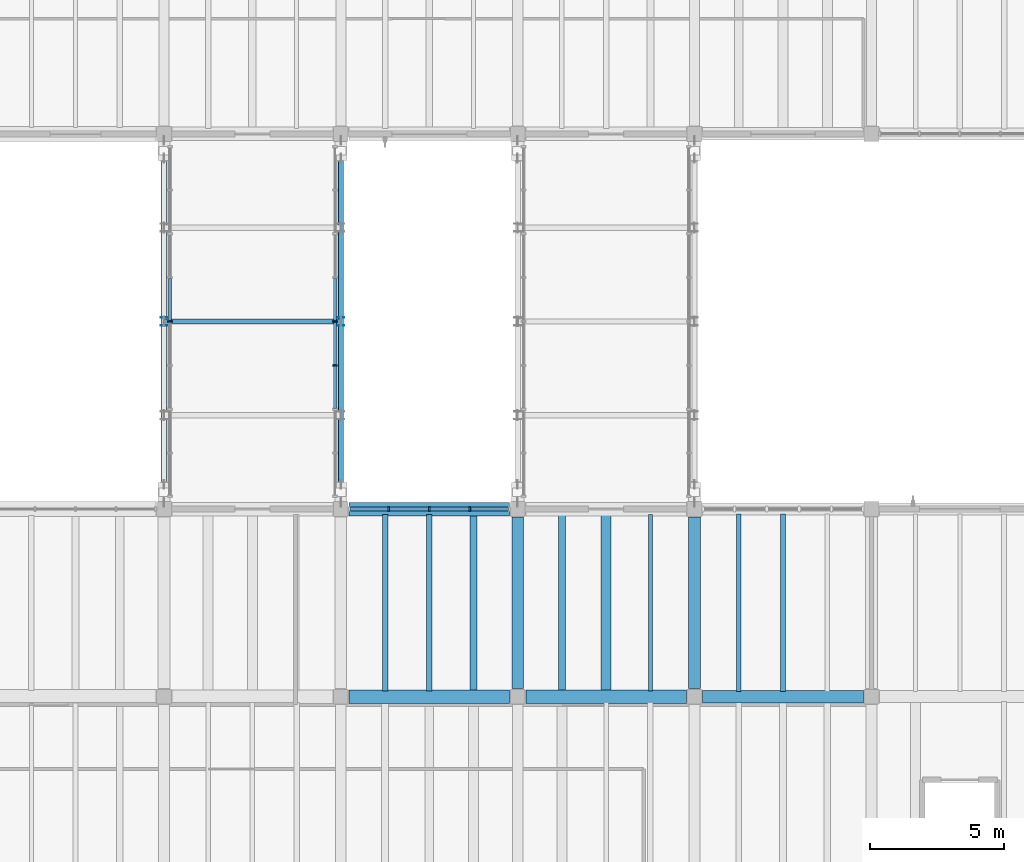
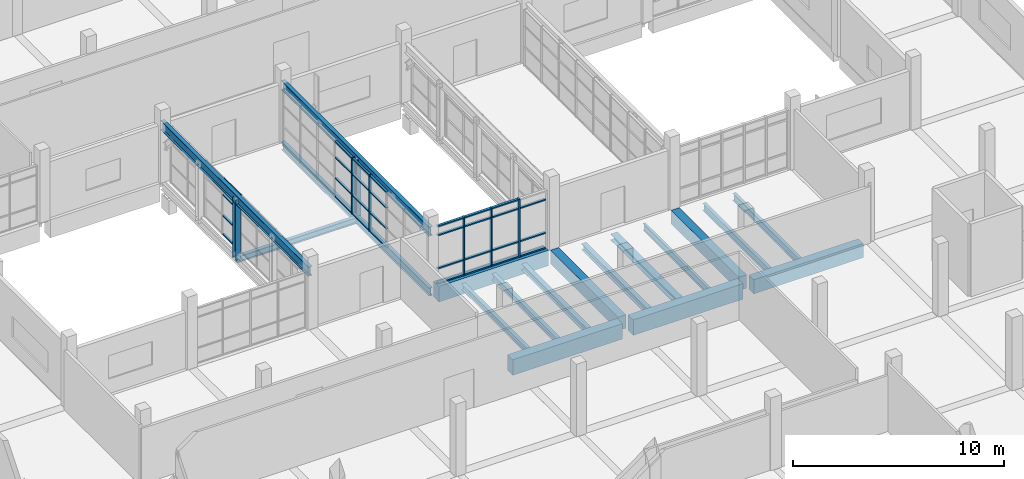
# One storey, part 19 of 67: 42 members, 15 beams, 3 elements without a shape of their own.
"""IFC4 building model written with IfcOpenShell, lengths in metres."""

import ifcopenshell
import ifcopenshell.guid

model = None  # the IFC model being written
_history = None  # IfcOwnerHistory: only IFC2X3 demands one
_inside = {}  # id of a spatial element -> (the spatial element, [elements in it])
_under = {}  # id of a project, library or spatial element -> (it, [spatial elements below it])
_declared = {}  # id of a project -> (the project, [libraries it declares])
_typed = {}  # id of a type object -> (the type object, [elements of that type])
_made_of = {}  # id of a material, layer set ... -> (it, [elements and type objects made of it])


def new_model(schema):
    """Start an empty IFC model of exactly this schema.

    Asked for "IFC4X3", IfcOpenShell would pick the latest addendum, in which some entities
    have other attributes; the version numbers below select the first issue.
    IFC2X3 requires an IfcOwnerHistory on every rooted entity: one is made here for all.
    """
    global model, _history
    if schema == "IFC4X3":
        model = ifcopenshell.file(schema_version=(4, 3, 0, 0))
    else:
        model = ifcopenshell.file(schema=schema)
    _inside.clear()
    _under.clear()
    _declared.clear()
    _typed.clear()
    _made_of.clear()
    _history = None
    if model.schema == "IFC2X3":
        org = make("IfcOrganization", Name="unknown")
        user = make(
            "IfcPersonAndOrganization",
            ThePerson=make("IfcPerson", FamilyName="unknown"),
            TheOrganization=org,
        )
        app = make(
            "IfcApplication",
            ApplicationDeveloper=org,
            Version="unknown",
            ApplicationFullName="unknown",
            ApplicationIdentifier="unknown",
        )
        _history = make(
            "IfcOwnerHistory",
            OwningUser=user,
            OwningApplication=app,
            ChangeAction="ADDED",
            CreationDate=0,
        )
    return model


def make(cls, **values):
    """One entity of the class cls with the attributes given. An attribute that is None is left unset."""
    return model.create_entity(
        cls, **{name: value for name, value in values.items() if value is not None}
    )


def rooted(cls, **values):
    """An entity with a GlobalId (a new one), such as an element, a storey or a relation."""
    return make(cls, GlobalId=ifcopenshell.guid.new(), OwnerHistory=_history, **values)


def si_unit(unit_type, name, prefix=None):
    """IfcSIUnit, for example si_unit("LENGTHUNIT", "METRE", prefix="MILLI")."""
    return make("IfcSIUnit", UnitType=unit_type, Prefix=prefix, Name=name)


def assignment(units):
    """IfcUnitAssignment: the units of a project."""
    return None if units is None else make("IfcUnitAssignment", Units=units)


def point(xyz):
    """IfcCartesianPoint."""
    return None if xyz is None else make("IfcCartesianPoint", Coordinates=xyz)


def direction(xyz):
    """IfcDirection."""
    return None if xyz is None else make("IfcDirection", DirectionRatios=xyz)


def frame(location, z_axis=None, x_axis=None):
    """IfcAxis2Placement3D, a coordinate frame: its origin and axes. An axis left out is left unset."""
    return make(
        "IfcAxis2Placement3D",
        Location=point(location),
        Axis=direction(z_axis),
        RefDirection=direction(x_axis),
    )


def frame_2d(location, x_axis=None):
    """IfcAxis2Placement2D, a coordinate frame in the plane: its origin and x axis."""
    return make(
        "IfcAxis2Placement2D", Location=point(location), RefDirection=direction(x_axis)
    )


def origin():
    """The frame at (0, 0, 0) with its axes left unset."""
    return frame((0.0, 0.0, 0.0))


def origin_2d():
    """The frame at (0, 0) in the plane with its x axis left unset."""
    return frame_2d((0.0, 0.0))


def place(relative_to, where):
    """IfcLocalPlacement: puts the frame where relative to a parent placement (None: the world)."""
    return make(
        "IfcLocalPlacement", PlacementRelTo=relative_to, RelativePlacement=where
    )


def context(
    kind, dimensions, precision=None, world=None, true_north=None, identifier=None
):
    """IfcGeometricRepresentationContext, for example the 3D "Model" context."""
    return make(
        "IfcGeometricRepresentationContext",
        ContextIdentifier=identifier,
        ContextType=kind,
        CoordinateSpaceDimension=dimensions,
        Precision=precision,
        WorldCoordinateSystem=world,
        TrueNorth=true_north,
    )


def subcontext(parent, identifier, kind, view, scale=None):
    """IfcGeometricRepresentationSubContext, for example "Body" below "Model"."""
    return make(
        "IfcGeometricRepresentationSubContext",
        ContextIdentifier=identifier,
        ContextType=kind,
        ParentContext=parent,
        TargetScale=scale,
        TargetView=view,
    )


def project(units=None, contexts=None):
    """IfcProject with its units and contexts."""
    return rooted(
        "IfcProject",
        Name="project",
        RepresentationContexts=contexts,
        UnitsInContext=assignment(units),
    )


def spatial(cls, under=None, at=None, **own):
    """A site, building, storey or space (cls), placed at a placement, below another one or the project."""
    s = rooted(cls, ObjectPlacement=at, **own)
    if under is not None:
        _under.setdefault(under.id(), (under, []))[1].append(s)
    return s


def profile(cls, at=None, kind="AREA", **sizes):
    """A parametric profile (cls). Its sizes go by their IFC names, for example OverallWidth=200.0."""
    return make(cls, ProfileType=kind, Position=at, **sizes)


def rectangle(**sizes):
    """IfcRectangleProfileDef."""
    return profile("IfcRectangleProfileDef", **sizes)


def i_section(**sizes):
    """IfcIShapeProfileDef."""
    return profile("IfcIShapeProfileDef", **sizes)


def extrude(swept, where, along, depth):
    """IfcExtrudedAreaSolid: the profile swept, set in the frame where, extruded along a direction by depth."""
    return make(
        "IfcExtrudedAreaSolid",
        SweptArea=swept,
        Position=where,
        ExtrudedDirection=direction(along),
        Depth=depth,
    )


def shape(context_of_items, identifier, shape_type, items):
    """IfcShapeRepresentation: the items that make up one representation, for example the "Body"."""
    return make(
        "IfcShapeRepresentation",
        ContextOfItems=context_of_items,
        RepresentationIdentifier=identifier,
        RepresentationType=shape_type,
        Items=items,
    )


def material(Name=None, Category=None):
    """IfcMaterial."""
    return make("IfcMaterial", Name=Name, Category=Category)


def material_profile(
    of_material, cross_section, Name=None, Category=None, Priority=None
):
    """IfcMaterialProfile: a cross section and its material."""
    return make(
        "IfcMaterialProfile",
        Name=Name,
        Material=of_material,
        Profile=cross_section,
        Priority=Priority,
        Category=Category,
    )


def profile_set(profiles, Name=None, composite=None):
    """IfcMaterialProfileSet."""
    return make(
        "IfcMaterialProfileSet",
        Name=Name,
        MaterialProfiles=profiles,
        CompositeProfile=composite,
    )


def made_of(thing, what):
    """Note that an element or type object is made of a material, layer set ...; save() writes the relation."""
    if what is not None:
        _made_of.setdefault(what.id(), (what, []))[1].append(thing)
    return thing


def type_object(cls, material=None, **own):
    """A type object (cls), such as IfcWallType, which elements share."""
    return made_of(rooted(cls, **own), material)


def element(
    cls,
    number,
    at=None,
    inside=None,
    cuts=None,
    type_object=None,
    material=None,
    context=None,
    identifier="Body",
    shape_type=None,
    held_by="IfcProductDefinitionShape",
    body=None,
    shapes=None,
    **own,
):
    """One element of the class cls, such as IfcWall. Its Tag is "e" and its number.

    at: its placement. inside: the storey or other place that contains it. cuts: it is an
    opening in that element (IfcRelVoidsElement). A single representation is given by context,
    identifier, shape_type and body (its items); several are given by shapes. held_by: the class
    of the entity that holds the representations. save() writes the other relations.
    """
    e = rooted(cls, Tag="e%d" % number, ObjectPlacement=at, **own)
    if body is not None:
        shapes = [shape(context, identifier, shape_type, body)]
    if shapes is not None:
        e.Representation = make(held_by, Representations=shapes)
    if inside is not None:
        _inside.setdefault(inside.id(), (inside, []))[1].append(e)
    if cuts is not None:
        rooted(
            "IfcRelVoidsElement", RelatingBuildingElement=cuts, RelatedOpeningElement=e
        )
    if type_object is not None:
        _typed.setdefault(type_object.id(), (type_object, []))[1].append(e)
    return made_of(e, material)


def aggregate(whole, parts):
    """IfcRelAggregates: a whole, such as a stair, and the parts it consists of."""
    return rooted("IfcRelAggregates", RelatingObject=whole, RelatedObjects=parts)


def save(model, path):
    """Write the relations noted so far, then the file.

    IfcRelAggregates (storeys below a building ...), IfcRelContainedInSpatialStructure (elements
    in a storey), IfcRelDefinesByType, IfcRelAssociatesMaterial and IfcRelDeclares: one each for
    every whole, place, type object, material and project.
    """
    for whole, parts in _under.values():
        aggregate(whole, parts)
    for where, things in _inside.values():
        rooted(
            "IfcRelContainedInSpatialStructure",
            RelatedElements=things,
            RelatingStructure=where,
        )
    for kind, things in _typed.values():
        rooted("IfcRelDefinesByType", RelatedObjects=things, RelatingType=kind)
    for what, things in _made_of.values():
        rooted("IfcRelAssociatesMaterial", RelatedObjects=things, RelatingMaterial=what)
    for by, libraries in _declared.values():
        rooted("IfcRelDeclares", RelatingContext=by, RelatedDefinitions=libraries)
    model.write(path)


model = new_model("IFC4")

# Units and contexts
model_context = context("Model", 3, precision=1e-05, world=origin(), true_north=direction((0.0, 1.0)))
body_context = subcontext(model_context, "Body", "Model", "MODEL_VIEW")
ifc_project = project(units=[si_unit("LENGTHUNIT", "METRE"), si_unit("AREAUNIT", "SQUARE_METRE"), si_unit("VOLUMEUNIT", "CUBIC_METRE"), si_unit("PLANEANGLEUNIT", "RADIAN"), si_unit("MASSUNIT", "GRAM", prefix="KILO")], contexts=[model_context])

# Site, building, storey
site_placement = place(None, origin())
site = spatial("IfcSite", under=ifc_project, at=site_placement, CompositionType="ELEMENT")
building_placement = place(site_placement, origin())
building = spatial("IfcBuilding", under=site, at=building_placement, Name="Ciguamira Faculty of Natural Sciences", CompositionType="ELEMENT")
storey_placement = place(building_placement, frame((0.0, 0.0, 8.39990234375)))
storey = spatial("IfcBuildingStorey", under=building, at=storey_placement, Name="L02", CompositionType="ELEMENT", Elevation=8.39990234375)

# Curtain wall, member
ifc_material_1 = material(Name="Anodized aluminium curtain wall", Category="aluminium")
curtain_wall_type_1 = type_object("IfcCurtainWallType", Name="CurtainWall_CW-06", PredefinedType="USERDEFINED", material=ifc_material_1)
curtain_wall_1_placement = place(storey_placement, origin())
curtain_wall_1 = element("IfcCurtainWall", 1, at=curtain_wall_1_placement, inside=storey, type_object=curtain_wall_type_1, Name="Link bridge BR-1 glazed curtain wall W", ObjectType="UNITISED CURTAIN WALL", PredefinedType="USERDEFINED")
ifc_material_2 = material(Name="Anodized aluminium mullion", Category="aluminium")
ifc_material_profile_1 = material_profile(ifc_material_2, rectangle(XDim=0.06005859375, YDim=0.159912109375, at=origin_2d()), Name="ALU-MUL-60X160")
ifc_profile_set_1 = profile_set([ifc_material_profile_1], Name="Anodized aluminium mullion")
member_type_1 = type_object("IfcMemberType", Name="CWMullion_CWM-01", PredefinedType="MULLION", material=ifc_profile_set_1)
member_1_placement = place(storey_placement, frame((77.320068359375, 66.0, 0.0), z_axis=(0.0, 0.0, 1.0), x_axis=(0.0, 1.0, 0.0)))
member_1 = element("IfcMember", 2, at=member_1_placement, type_object=member_type_1, Name="CW-06 mullion 5", PredefinedType="MULLION", context=body_context, shape_type="SweptSolid", body=[
    extrude(rectangle(XDim=0.06005859375, YDim=0.159912109375, at=origin_2d()), origin(), (0.0, 0.0, 1.0), 3.25),
])

# Curtain wall, members
curtain_wall_type_2 = type_object("IfcCurtainWallType", Name="CurtainWall_CW-07", PredefinedType="USERDEFINED", material=ifc_material_1)
curtain_wall_2_placement = place(storey_placement, origin())
curtain_wall_2 = element("IfcCurtainWall", 3, at=curtain_wall_2_placement, inside=storey, type_object=curtain_wall_type_2, Name="Link bridge BR-1 glazed curtain wall E", ObjectType="UNITISED CURTAIN WALL", PredefinedType="USERDEFINED")
member_2_placement = place(storey_placement, frame((83.47998046875, 64.362548828125, 0.0), z_axis=(0.0, 0.0, 1.0), x_axis=(0.0, 1.0, 0.0)))
member_2 = element("IfcMember", 4, at=member_2_placement, type_object=member_type_1, Name="CW-07 mullion 4", PredefinedType="MULLION", context=body_context, shape_type="SweptSolid", body=[
    extrude(rectangle(XDim=0.06005859375, YDim=0.159912109375, at=origin_2d()), origin(), (0.0, 0.0, 1.0), 3.25),
])
member_3_placement = place(storey_placement, frame((83.47998046875, 66.0, 0.0), z_axis=(0.0, 0.0, 1.0), x_axis=(0.0, 1.0, 0.0)))
member_3 = element("IfcMember", 5, at=member_3_placement, type_object=member_type_1, Name="CW-07 mullion 5", PredefinedType="MULLION", context=body_context, shape_type="SweptSolid", body=[
    extrude(rectangle(XDim=0.06005859375, YDim=0.159912109375, at=origin_2d()), origin(), (0.0, 0.0, 1.0), 3.25),
])

curtain_wall_type_3 = type_object("IfcCurtainWallType", Name="CurtainWall_CW-05", PredefinedType="USERDEFINED", material=ifc_material_1)
curtain_wall_3_placement = place(storey_placement, origin())
curtain_wall_3 = element("IfcCurtainWall", 6, at=curtain_wall_3_placement, inside=storey, type_object=curtain_wall_type_3, Name="L02 unitised curtain wall 0065", ObjectType="UNITISED CURTAIN WALL", PredefinedType="USERDEFINED")
ifc_material_profile_2 = material_profile(ifc_material_2, rectangle(XDim=0.070068359375, YDim=0.179931640625, at=origin_2d()), Name="ALU-MUL-70X180")
ifc_profile_set_2 = profile_set([ifc_material_profile_2], Name="Anodized aluminium mullion")
member_type_2 = type_object("IfcMemberType", Name="CWMullion_CWM-02", PredefinedType="MULLION", material=ifc_profile_set_2)
member_4_placement = place(storey_placement, frame((85.487548828125, 59.0, 0.0), z_axis=(0.0, 0.0, 1.0), x_axis=(1.0, 0.0, 0.0)))
member_4 = element("IfcMember", 7, at=member_4_placement, type_object=member_type_2, Name="CW-05 mullion 2", PredefinedType="MULLION", context=body_context, shape_type="SweptSolid", body=[
    extrude(rectangle(XDim=0.070068359375, YDim=0.179931640625, at=origin_2d()), origin(), (0.0, 0.0, 1.0), 3.364990234375),
])
member_5_placement = place(storey_placement, frame((87.0, 59.0, 0.0), z_axis=(0.0, 0.0, 1.0), x_axis=(1.0, 0.0, 0.0)))
member_5 = element("IfcMember", 8, at=member_5_placement, type_object=member_type_2, Name="CW-05 mullion 3", PredefinedType="MULLION", context=body_context, shape_type="SweptSolid", body=[
    extrude(rectangle(XDim=0.070068359375, YDim=0.179931640625, at=origin_2d()), origin(), (0.0, 0.0, 1.0), 3.364990234375),
])
member_6_placement = place(storey_placement, frame((88.512451171875, 59.0, 0.0), z_axis=(0.0, 0.0, 1.0), x_axis=(1.0, 0.0, 0.0)))
member_6 = element("IfcMember", 9, at=member_6_placement, type_object=member_type_2, Name="CW-05 mullion 4", PredefinedType="MULLION", context=body_context, shape_type="SweptSolid", body=[
    extrude(rectangle(XDim=0.070068359375, YDim=0.179931640625, at=origin_2d()), origin(), (0.0, 0.0, 1.0), 3.364990234375),
])

# Member
ifc_material_3 = material(Name="Anodized aluminium transom", Category="aluminium")
ifc_material_profile_3 = material_profile(ifc_material_3, rectangle(XDim=0.06005859375, YDim=0.1201171875, at=origin_2d()), Name="ALU-TRN-60X120")
ifc_profile_set_3 = profile_set([ifc_material_profile_3], Name="Anodized aluminium transom")
member_type_3 = type_object("IfcMemberType", Name="CWTransom_CWT-01", PredefinedType="USERDEFINED", material=ifc_profile_set_3)
member_7_placement = place(storey_placement, frame((77.320068359375, 66.030029296875, 0.030029296875), z_axis=(0.0, 1.0, 0.0), x_axis=(0.0, 0.0, 1.0)))
member_7 = element("IfcMember", 10, at=member_7_placement, type_object=member_type_3, Name="CW-06 transom 5.1", ObjectType="TRANSOM", PredefinedType="USERDEFINED", context=body_context, shape_type="SweptSolid", body=[
    extrude(rectangle(XDim=0.06005859375, YDim=0.1201171875, at=origin_2d()), origin(), (0.0, 0.0, 1.0), 1.577392578125),
])

member_8_placement = place(storey_placement, frame((77.320068359375, 66.030029296875, 1.10009765625), z_axis=(0.0, 1.0, 0.0), x_axis=(0.0, 0.0, 1.0)))
member_8 = element("IfcMember", 11, at=member_8_placement, type_object=member_type_3, Name="CW-06 transom 5.2", ObjectType="TRANSOM", PredefinedType="USERDEFINED", context=body_context, shape_type="SweptSolid", body=[
    extrude(rectangle(XDim=0.06005859375, YDim=0.1201171875, at=origin_2d()), origin(), (0.0, 0.0, 1.0), 1.577392578125),
])

member_9_placement = place(storey_placement, frame((77.320068359375, 66.030029296875, 2.300048828125), z_axis=(0.0, 1.0, 0.0), x_axis=(0.0, 0.0, 1.0)))
member_9 = element("IfcMember", 12, at=member_9_placement, type_object=member_type_3, Name="CW-06 transom 5.3", ObjectType="TRANSOM", PredefinedType="USERDEFINED", context=body_context, shape_type="SweptSolid", body=[
    extrude(rectangle(XDim=0.06005859375, YDim=0.1201171875, at=origin_2d()), origin(), (0.0, 0.0, 1.0), 1.577392578125),
])

member_10_placement = place(storey_placement, frame((77.320068359375, 66.030029296875, 3.22021484375), z_axis=(0.0, 1.0, 0.0), x_axis=(0.0, 0.0, 1.0)))
member_10 = element("IfcMember", 13, at=member_10_placement, type_object=member_type_3, Name="CW-06 transom 5.4", ObjectType="TRANSOM", PredefinedType="USERDEFINED", context=body_context, shape_type="SweptSolid", body=[
    extrude(rectangle(XDim=0.06005859375, YDim=0.1201171875, at=origin_2d()), origin(), (0.0, 0.0, 1.0), 1.577392578125),
])

aggregate(curtain_wall_1, [member_1, member_7, member_8, member_9, member_10])

member_11_placement = place(storey_placement, frame((83.47998046875, 62.7548828125, 0.030029296875), z_axis=(0.0, 1.0, 0.0), x_axis=(0.0, 0.0, 1.0)))
member_11 = element("IfcMember", 14, at=member_11_placement, type_object=member_type_3, Name="CW-07 transom 3.1", ObjectType="TRANSOM", PredefinedType="USERDEFINED", context=body_context, shape_type="SweptSolid", body=[
    extrude(rectangle(XDim=0.06005859375, YDim=0.1201171875, at=origin_2d()), origin(), (0.0, 0.0, 1.0), 1.57763671875),
])

member_12_placement = place(storey_placement, frame((83.47998046875, 62.7548828125, 1.10009765625), z_axis=(0.0, 1.0, 0.0), x_axis=(0.0, 0.0, 1.0)))
member_12 = element("IfcMember", 15, at=member_12_placement, type_object=member_type_3, Name="CW-07 transom 3.2", ObjectType="TRANSOM", PredefinedType="USERDEFINED", context=body_context, shape_type="SweptSolid", body=[
    extrude(rectangle(XDim=0.06005859375, YDim=0.1201171875, at=origin_2d()), origin(), (0.0, 0.0, 1.0), 1.57763671875),
])

member_13_placement = place(storey_placement, frame((83.47998046875, 62.7548828125, 2.300048828125), z_axis=(0.0, 1.0, 0.0), x_axis=(0.0, 0.0, 1.0)))
member_13 = element("IfcMember", 16, at=member_13_placement, type_object=member_type_3, Name="CW-07 transom 3.3", ObjectType="TRANSOM", PredefinedType="USERDEFINED", context=body_context, shape_type="SweptSolid", body=[
    extrude(rectangle(XDim=0.06005859375, YDim=0.1201171875, at=origin_2d()), origin(), (0.0, 0.0, 1.0), 1.57763671875),
])

member_14_placement = place(storey_placement, frame((83.47998046875, 62.7548828125, 3.22021484375), z_axis=(0.0, 1.0, 0.0), x_axis=(0.0, 0.0, 1.0)))
member_14 = element("IfcMember", 17, at=member_14_placement, type_object=member_type_3, Name="CW-07 transom 3.4", ObjectType="TRANSOM", PredefinedType="USERDEFINED", context=body_context, shape_type="SweptSolid", body=[
    extrude(rectangle(XDim=0.06005859375, YDim=0.1201171875, at=origin_2d()), origin(), (0.0, 0.0, 1.0), 1.57763671875),
])

member_15_placement = place(storey_placement, frame((83.47998046875, 64.392578125, 0.030029296875), z_axis=(0.0, 1.0, 0.0), x_axis=(0.0, 0.0, 1.0)))
member_15 = element("IfcMember", 18, at=member_15_placement, type_object=member_type_3, Name="CW-07 transom 4.1", ObjectType="TRANSOM", PredefinedType="USERDEFINED", context=body_context, shape_type="SweptSolid", body=[
    extrude(rectangle(XDim=0.06005859375, YDim=0.1201171875, at=origin_2d()), origin(), (0.0, 0.0, 1.0), 1.577392578125),
])

member_16_placement = place(storey_placement, frame((83.47998046875, 64.392578125, 1.10009765625), z_axis=(0.0, 1.0, 0.0), x_axis=(0.0, 0.0, 1.0)))
member_16 = element("IfcMember", 19, at=member_16_placement, type_object=member_type_3, Name="CW-07 transom 4.2", ObjectType="TRANSOM", PredefinedType="USERDEFINED", context=body_context, shape_type="SweptSolid", body=[
    extrude(rectangle(XDim=0.06005859375, YDim=0.1201171875, at=origin_2d()), origin(), (0.0, 0.0, 1.0), 1.577392578125),
])

member_17_placement = place(storey_placement, frame((83.47998046875, 64.392578125, 2.300048828125), z_axis=(0.0, 1.0, 0.0), x_axis=(0.0, 0.0, 1.0)))
member_17 = element("IfcMember", 20, at=member_17_placement, type_object=member_type_3, Name="CW-07 transom 4.3", ObjectType="TRANSOM", PredefinedType="USERDEFINED", context=body_context, shape_type="SweptSolid", body=[
    extrude(rectangle(XDim=0.06005859375, YDim=0.1201171875, at=origin_2d()), origin(), (0.0, 0.0, 1.0), 1.577392578125),
])

member_18_placement = place(storey_placement, frame((83.47998046875, 64.392578125, 3.22021484375), z_axis=(0.0, 1.0, 0.0), x_axis=(0.0, 0.0, 1.0)))
member_18 = element("IfcMember", 21, at=member_18_placement, type_object=member_type_3, Name="CW-07 transom 4.4", ObjectType="TRANSOM", PredefinedType="USERDEFINED", context=body_context, shape_type="SweptSolid", body=[
    extrude(rectangle(XDim=0.06005859375, YDim=0.1201171875, at=origin_2d()), origin(), (0.0, 0.0, 1.0), 1.577392578125),
])

member_19_placement = place(storey_placement, frame((83.47998046875, 66.030029296875, 0.030029296875), z_axis=(0.0, 1.0, 0.0), x_axis=(0.0, 0.0, 1.0)))
member_19 = element("IfcMember", 22, at=member_19_placement, type_object=member_type_3, Name="CW-07 transom 5.1", ObjectType="TRANSOM", PredefinedType="USERDEFINED", context=body_context, shape_type="SweptSolid", body=[
    extrude(rectangle(XDim=0.06005859375, YDim=0.1201171875, at=origin_2d()), origin(), (0.0, 0.0, 1.0), 1.577392578125),
])

member_20_placement = place(storey_placement, frame((83.47998046875, 66.030029296875, 1.10009765625), z_axis=(0.0, 1.0, 0.0), x_axis=(0.0, 0.0, 1.0)))
member_20 = element("IfcMember", 23, at=member_20_placement, type_object=member_type_3, Name="CW-07 transom 5.2", ObjectType="TRANSOM", PredefinedType="USERDEFINED", context=body_context, shape_type="SweptSolid", body=[
    extrude(rectangle(XDim=0.06005859375, YDim=0.1201171875, at=origin_2d()), origin(), (0.0, 0.0, 1.0), 1.577392578125),
])

member_21_placement = place(storey_placement, frame((83.47998046875, 66.030029296875, 2.300048828125), z_axis=(0.0, 1.0, 0.0), x_axis=(0.0, 0.0, 1.0)))
member_21 = element("IfcMember", 24, at=member_21_placement, type_object=member_type_3, Name="CW-07 transom 5.3", ObjectType="TRANSOM", PredefinedType="USERDEFINED", context=body_context, shape_type="SweptSolid", body=[
    extrude(rectangle(XDim=0.06005859375, YDim=0.1201171875, at=origin_2d()), origin(), (0.0, 0.0, 1.0), 1.577392578125),
])

member_22_placement = place(storey_placement, frame((83.47998046875, 66.030029296875, 3.22021484375), z_axis=(0.0, 1.0, 0.0), x_axis=(0.0, 0.0, 1.0)))
member_22 = element("IfcMember", 25, at=member_22_placement, type_object=member_type_3, Name="CW-07 transom 5.4", ObjectType="TRANSOM", PredefinedType="USERDEFINED", context=body_context, shape_type="SweptSolid", body=[
    extrude(rectangle(XDim=0.06005859375, YDim=0.1201171875, at=origin_2d()), origin(), (0.0, 0.0, 1.0), 1.577392578125),
])

aggregate(curtain_wall_2, [member_2, member_3, member_11, member_12, member_13, member_14, member_15, member_16, member_17, member_18, member_19, member_20, member_21, member_22])

ifc_material_profile_4 = material_profile(ifc_material_3, rectangle(XDim=0.070068359375, YDim=0.139892578125, at=origin_2d()), Name="ALU-TRN-70X140")
ifc_profile_set_4 = profile_set([ifc_material_profile_4], Name="Anodized aluminium transom")
member_type_4 = type_object("IfcMemberType", Name="CWTransom_CWT-02", PredefinedType="USERDEFINED", material=ifc_profile_set_4)
member_23_placement = place(storey_placement, frame((84.044921875, 59.0, 0.03515625), z_axis=(1.0, 0.0, 0.0), x_axis=(0.0, 0.0, 1.0)))
member_23 = element("IfcMember", 26, at=member_23_placement, type_object=member_type_4, Name="CW-05 transom 1.1", ObjectType="TRANSOM", PredefinedType="USERDEFINED", context=body_context, shape_type="SweptSolid", body=[
    extrude(rectangle(XDim=0.070068359375, YDim=0.139892578125, at=origin_2d()), origin(), (0.0, 0.0, 1.0), 1.407470703125),
])

member_24_placement = place(storey_placement, frame((84.044921875, 59.0, 0.900146484375), z_axis=(1.0, 0.0, 0.0), x_axis=(0.0, 0.0, 1.0)))
member_24 = element("IfcMember", 27, at=member_24_placement, type_object=member_type_4, Name="CW-05 transom 1.2", ObjectType="TRANSOM", PredefinedType="USERDEFINED", context=body_context, shape_type="SweptSolid", body=[
    extrude(rectangle(XDim=0.070068359375, YDim=0.139892578125, at=origin_2d()), origin(), (0.0, 0.0, 1.0), 1.407470703125),
])

member_25_placement = place(storey_placement, frame((84.044921875, 59.0, 2.815185546875), z_axis=(1.0, 0.0, 0.0), x_axis=(0.0, 0.0, 1.0)))
member_25 = element("IfcMember", 28, at=member_25_placement, type_object=member_type_4, Name="CW-05 transom 1.3", ObjectType="TRANSOM", PredefinedType="USERDEFINED", context=body_context, shape_type="SweptSolid", body=[
    extrude(rectangle(XDim=0.070068359375, YDim=0.139892578125, at=origin_2d()), origin(), (0.0, 0.0, 1.0), 1.407470703125),
])

member_26_placement = place(storey_placement, frame((84.044921875, 59.0, 3.330078125), z_axis=(1.0, 0.0, 0.0), x_axis=(0.0, 0.0, 1.0)))
member_26 = element("IfcMember", 29, at=member_26_placement, type_object=member_type_4, Name="CW-05 transom 1.4", ObjectType="TRANSOM", PredefinedType="USERDEFINED", context=body_context, shape_type="SweptSolid", body=[
    extrude(rectangle(XDim=0.070068359375, YDim=0.139892578125, at=origin_2d()), origin(), (0.0, 0.0, 1.0), 1.407470703125),
])

member_27_placement = place(storey_placement, frame((85.5224609375, 59.0, 0.03515625), z_axis=(1.0, 0.0, 0.0), x_axis=(0.0, 0.0, 1.0)))
member_27 = element("IfcMember", 30, at=member_27_placement, type_object=member_type_4, Name="CW-05 transom 2.1", ObjectType="TRANSOM", PredefinedType="USERDEFINED", context=body_context, shape_type="SweptSolid", body=[
    extrude(rectangle(XDim=0.070068359375, YDim=0.139892578125, at=origin_2d()), origin(), (0.0, 0.0, 1.0), 1.442626953125),
])

member_28_placement = place(storey_placement, frame((85.5224609375, 59.0, 0.900146484375), z_axis=(1.0, 0.0, 0.0), x_axis=(0.0, 0.0, 1.0)))
member_28 = element("IfcMember", 31, at=member_28_placement, type_object=member_type_4, Name="CW-05 transom 2.2", ObjectType="TRANSOM", PredefinedType="USERDEFINED", context=body_context, shape_type="SweptSolid", body=[
    extrude(rectangle(XDim=0.070068359375, YDim=0.139892578125, at=origin_2d()), origin(), (0.0, 0.0, 1.0), 1.442626953125),
])

member_29_placement = place(storey_placement, frame((85.5224609375, 59.0, 2.815185546875), z_axis=(1.0, 0.0, 0.0), x_axis=(0.0, 0.0, 1.0)))
member_29 = element("IfcMember", 32, at=member_29_placement, type_object=member_type_4, Name="CW-05 transom 2.3", ObjectType="TRANSOM", PredefinedType="USERDEFINED", context=body_context, shape_type="SweptSolid", body=[
    extrude(rectangle(XDim=0.070068359375, YDim=0.139892578125, at=origin_2d()), origin(), (0.0, 0.0, 1.0), 1.442626953125),
])

member_30_placement = place(storey_placement, frame((85.5224609375, 59.0, 3.330078125), z_axis=(1.0, 0.0, 0.0), x_axis=(0.0, 0.0, 1.0)))
member_30 = element("IfcMember", 33, at=member_30_placement, type_object=member_type_4, Name="CW-05 transom 2.4", ObjectType="TRANSOM", PredefinedType="USERDEFINED", context=body_context, shape_type="SweptSolid", body=[
    extrude(rectangle(XDim=0.070068359375, YDim=0.139892578125, at=origin_2d()), origin(), (0.0, 0.0, 1.0), 1.442626953125),
])

member_31_placement = place(storey_placement, frame((87.034912109375, 59.0, 0.03515625), z_axis=(1.0, 0.0, 0.0), x_axis=(0.0, 0.0, 1.0)))
member_31 = element("IfcMember", 34, at=member_31_placement, type_object=member_type_4, Name="CW-05 transom 3.1", ObjectType="TRANSOM", PredefinedType="USERDEFINED", context=body_context, shape_type="SweptSolid", body=[
    extrude(rectangle(XDim=0.070068359375, YDim=0.139892578125, at=origin_2d()), origin(), (0.0, 0.0, 1.0), 1.442626953125),
])

member_32_placement = place(storey_placement, frame((87.034912109375, 59.0, 0.900146484375), z_axis=(1.0, 0.0, 0.0), x_axis=(0.0, 0.0, 1.0)))
member_32 = element("IfcMember", 35, at=member_32_placement, type_object=member_type_4, Name="CW-05 transom 3.2", ObjectType="TRANSOM", PredefinedType="USERDEFINED", context=body_context, shape_type="SweptSolid", body=[
    extrude(rectangle(XDim=0.070068359375, YDim=0.139892578125, at=origin_2d()), origin(), (0.0, 0.0, 1.0), 1.442626953125),
])

member_33_placement = place(storey_placement, frame((87.034912109375, 59.0, 2.815185546875), z_axis=(1.0, 0.0, 0.0), x_axis=(0.0, 0.0, 1.0)))
member_33 = element("IfcMember", 36, at=member_33_placement, type_object=member_type_4, Name="CW-05 transom 3.3", ObjectType="TRANSOM", PredefinedType="USERDEFINED", context=body_context, shape_type="SweptSolid", body=[
    extrude(rectangle(XDim=0.070068359375, YDim=0.139892578125, at=origin_2d()), origin(), (0.0, 0.0, 1.0), 1.442626953125),
])

member_34_placement = place(storey_placement, frame((87.034912109375, 59.0, 3.330078125), z_axis=(1.0, 0.0, 0.0), x_axis=(0.0, 0.0, 1.0)))
member_34 = element("IfcMember", 37, at=member_34_placement, type_object=member_type_4, Name="CW-05 transom 3.4", ObjectType="TRANSOM", PredefinedType="USERDEFINED", context=body_context, shape_type="SweptSolid", body=[
    extrude(rectangle(XDim=0.070068359375, YDim=0.139892578125, at=origin_2d()), origin(), (0.0, 0.0, 1.0), 1.442626953125),
])

member_35_placement = place(storey_placement, frame((88.547607421875, 59.0, 0.03515625), z_axis=(1.0, 0.0, 0.0), x_axis=(0.0, 0.0, 1.0)))
member_35 = element("IfcMember", 38, at=member_35_placement, type_object=member_type_4, Name="CW-05 transom 4.1", ObjectType="TRANSOM", PredefinedType="USERDEFINED", context=body_context, shape_type="SweptSolid", body=[
    extrude(rectangle(XDim=0.070068359375, YDim=0.139892578125, at=origin_2d()), origin(), (0.0, 0.0, 1.0), 1.407470703125),
])

member_36_placement = place(storey_placement, frame((88.547607421875, 59.0, 0.900146484375), z_axis=(1.0, 0.0, 0.0), x_axis=(0.0, 0.0, 1.0)))
member_36 = element("IfcMember", 39, at=member_36_placement, type_object=member_type_4, Name="CW-05 transom 4.2", ObjectType="TRANSOM", PredefinedType="USERDEFINED", context=body_context, shape_type="SweptSolid", body=[
    extrude(rectangle(XDim=0.070068359375, YDim=0.139892578125, at=origin_2d()), origin(), (0.0, 0.0, 1.0), 1.407470703125),
])

member_37_placement = place(storey_placement, frame((88.547607421875, 59.0, 2.815185546875), z_axis=(1.0, 0.0, 0.0), x_axis=(0.0, 0.0, 1.0)))
member_37 = element("IfcMember", 40, at=member_37_placement, type_object=member_type_4, Name="CW-05 transom 4.3", ObjectType="TRANSOM", PredefinedType="USERDEFINED", context=body_context, shape_type="SweptSolid", body=[
    extrude(rectangle(XDim=0.070068359375, YDim=0.139892578125, at=origin_2d()), origin(), (0.0, 0.0, 1.0), 1.407470703125),
])

aggregate(curtain_wall_3, [member_4, member_5, member_6, member_23, member_24, member_25, member_26, member_27, member_28, member_29, member_30, member_31, member_32, member_33, member_34, member_35, member_36, member_37])

# Beams
ifc_material_4 = material(Name="Concrete C40/50", Category="concrete")
ifc_material_profile_5 = material_profile(ifc_material_4, rectangle(XDim=0.5, YDim=0.89990234375, at=origin_2d()), Name="RC-BM-500X900")
ifc_profile_set_5 = profile_set([ifc_material_profile_5], Name="Concrete C40/50")
beam_type_1 = type_object("IfcBeamType", Name="RCBeam_BG-03_RC-BM-500X900", PredefinedType="BEAM", material=ifc_profile_set_5)
for number, where, z_axis, x_axis, name in (
    (41, (84.0, 52.0, -0.449951171875), (1.0, 0.0, 0.0), (0.0, 1.0, 0.0), "L02 RC girder EW-0796"),
    (42, (90.60009765625, 52.0, -0.449951171875), (1.0, 0.0, 0.0), (0.0, 1.0, 0.0), "L02 RC girder EW-0797"),
    (43, (84.0, 59.0, -0.449951171875), (1.0, 0.0, 0.0), (0.0, 1.0, 0.0), "L02 RC girder EW-0805"),
):
    element("IfcBeam", number, at=place(storey_placement, frame(where, z_axis=z_axis, x_axis=x_axis)), inside=storey, type_object=beam_type_1, Name=name, PredefinedType="BEAM", context=body_context, shape_type="SweptSolid", body=[
        extrude(rectangle(XDim=0.5, YDim=0.89990234375, at=origin_2d()), origin(), (0.0, 0.0, 1.0), 6.0),
    ])
ifc_material_profile_6 = material_profile(ifc_material_4, rectangle(XDim=0.4599609375, YDim=0.820068359375, at=origin_2d()), Name="RC-BM-460X820")
ifc_profile_set_6 = profile_set([ifc_material_profile_6], Name="Concrete C40/50")
beam_type_2 = type_object("IfcBeamType", Name="RCBeam_BG-04_RC-BM-460X820", PredefinedType="BEAM", material=ifc_profile_set_6)
beam_1_placement = place(storey_placement, frame((97.199951171875, 52.0, -0.409912109375), z_axis=(1.0, 0.0, 0.0), x_axis=(0.0, 1.0, 0.0)))
element("IfcBeam", 44, at=beam_1_placement, inside=storey, type_object=beam_type_2, Name="L02 RC girder EW-0798", PredefinedType="BEAM", context=body_context, shape_type="SweptSolid", body=[
    extrude(rectangle(XDim=0.4599609375, YDim=0.820068359375, at=origin_2d()), origin(), (0.0, 0.0, 1.0), 6.0),
])
ifc_material_profile_7 = material_profile(ifc_material_4, rectangle(XDim=0.43994140625, YDim=0.780029296875, at=origin_2d()), Name="RC-BM-440X780")
ifc_profile_set_7 = profile_set([ifc_material_profile_7], Name="Concrete C40/50")
beam_type_3 = type_object("IfcBeamType", Name="RCBeam_BG-06_RC-BM-440X780", PredefinedType="BEAM", material=ifc_profile_set_7)
for number, where, z_axis, x_axis, name in (
    (45, (90.300048828125, 52.300048828125, -0.389892578125), (0.0, 1.0, 0.0), (-1.0, 0.0, 0.0), "L02 girder NS-0958"),
    (46, (96.89990234375, 52.300048828125, -0.389892578125), (0.0, 1.0, 0.0), (-1.0, 0.0, 0.0), "L02 girder NS-0969"),
):
    element("IfcBeam", number, at=place(storey_placement, frame(where, z_axis=z_axis, x_axis=x_axis)), inside=storey, type_object=beam_type_3, Name=name, PredefinedType="BEAM", context=body_context, shape_type="SweptSolid", body=[
        extrude(rectangle(XDim=0.43994140625, YDim=0.780029296875, at=origin_2d()), origin(), (0.0, 0.0, 1.0), 6.39990234375),
    ])
ifc_material_5 = material(Name="Steel ASTM A992 Grade 50", Category="steel")
ifc_material_profile_8 = material_profile(ifc_material_5, i_section(OverallWidth=0.203125, OverallDepth=0.347900390625, WebThickness=0.0078125, FlangeThickness=0.013427734375, at=origin_2d()), Name="W14X43")
ifc_profile_set_8 = profile_set([ifc_material_profile_8], Name="Steel ASTM A992 Grade 50")
beam_type_4 = type_object("IfcBeamType", Name="SteelJoist_SJ-12_W14X43", PredefinedType="JOIST", material=ifc_profile_set_8)
beam_2_placement = place(storey_placement, frame((85.35009765625, 52.2099609375, -0.453857421875), z_axis=(0.0, 1.0, 0.0), x_axis=(-1.0, 0.0, 0.0)))
element("IfcBeam", 47, at=beam_2_placement, inside=storey, type_object=beam_type_4, Name="L02 composite steel joist 00825", PredefinedType="JOIST", context=body_context, shape_type="SweptSolid", body=[
    extrude(i_section(OverallWidth=0.203125, OverallDepth=0.347900390625, WebThickness=0.0078125, FlangeThickness=0.013427734375, at=origin_2d()), origin(), (0.0, 0.0, 1.0), 6.580078125),
])
beam_3_placement = place(storey_placement, frame((77.10009765625, 66.0, -0.393798828125), z_axis=(1.0, 0.0, 0.0), x_axis=(0.0, 1.0, 0.0)))
element("IfcBeam", 48, at=beam_3_placement, inside=storey, type_object=beam_type_4, Name="Link bridge BR-1 floor crossbeam 2", PredefinedType="JOIST", context=body_context, shape_type="SweptSolid", body=[
    extrude(i_section(OverallWidth=0.203125, OverallDepth=0.347900390625, WebThickness=0.0078125, FlangeThickness=0.013427734375, at=origin_2d()), origin(), (0.0, 0.0, 1.0), 6.599853515625),
])
ifc_material_profile_9 = material_profile(ifc_material_5, i_section(OverallWidth=0.204833984375, OverallDepth=0.35302734375, WebThickness=0.00927734375, FlangeThickness=0.016845703125, at=origin_2d()), Name="W14X53")
ifc_profile_set_9 = profile_set([ifc_material_profile_9], Name="Steel ASTM A992 Grade 50")
beam_type_5 = type_object("IfcBeamType", Name="SteelJoist_SJ-13_W14X53", PredefinedType="JOIST", material=ifc_profile_set_9)
beam_4_placement = place(storey_placement, frame((87.0, 52.2099609375, -0.456298828125), z_axis=(0.0, 1.0, 0.0), x_axis=(-1.0, 0.0, 0.0)))
element("IfcBeam", 49, at=beam_4_placement, inside=storey, type_object=beam_type_5, Name="L02 composite steel joist 00826", PredefinedType="JOIST", context=body_context, shape_type="SweptSolid", body=[
    extrude(i_section(OverallWidth=0.204833984375, OverallDepth=0.35302734375, WebThickness=0.00927734375, FlangeThickness=0.016845703125, at=origin_2d()), origin(), (0.0, 0.0, 1.0), 6.580078125),
])
ifc_material_profile_10 = material_profile(ifc_material_5, i_section(OverallWidth=0.25390625, OverallDepth=0.355712890625, WebThickness=0.010498046875, FlangeThickness=0.018310546875, at=origin_2d()), Name="W14X68")
ifc_profile_set_10 = profile_set([ifc_material_profile_10], Name="Steel ASTM A992 Grade 50")
beam_type_6 = type_object("IfcBeamType", Name="SteelJoist_SJ-14_W14X68", PredefinedType="JOIST", material=ifc_profile_set_10)
beam_5_placement = place(storey_placement, frame((88.64990234375, 52.2099609375, -0.457763671875), z_axis=(0.0, 1.0, 0.0), x_axis=(-1.0, 0.0, 0.0)))
element("IfcBeam", 50, at=beam_5_placement, inside=storey, type_object=beam_type_6, Name="L02 composite steel joist 00827", PredefinedType="JOIST", context=body_context, shape_type="SweptSolid", body=[
    extrude(i_section(OverallWidth=0.25390625, OverallDepth=0.355712890625, WebThickness=0.010498046875, FlangeThickness=0.018310546875, at=origin_2d()), origin(), (0.0, 0.0, 1.0), 6.580078125),
])
ifc_material_profile_11 = material_profile(ifc_material_5, i_section(OverallWidth=0.256591796875, OverallDepth=0.36328125, WebThickness=0.012939453125, FlangeThickness=0.021728515625, at=origin_2d()), Name="W14X82")
ifc_profile_set_11 = profile_set([ifc_material_profile_11], Name="Steel ASTM A992 Grade 50")
beam_type_7 = type_object("IfcBeamType", Name="SteelJoist_SJ-15_W14X82", PredefinedType="JOIST", material=ifc_profile_set_11)
beam_6_placement = place(storey_placement, frame((91.949951171875, 52.2099609375, -0.46142578125), z_axis=(0.0, 1.0, 0.0), x_axis=(-1.0, 0.0, 0.0)))
element("IfcBeam", 51, at=beam_6_placement, inside=storey, type_object=beam_type_7, Name="L02 composite steel joist 00850", PredefinedType="JOIST", context=body_context, shape_type="SweptSolid", body=[
    extrude(i_section(OverallWidth=0.256591796875, OverallDepth=0.36328125, WebThickness=0.012939453125, FlangeThickness=0.021728515625, at=origin_2d()), origin(), (0.0, 0.0, 1.0), 6.580078125),
])
ifc_material_profile_12 = material_profile(ifc_material_5, i_section(OverallWidth=0.368408203125, OverallDepth=0.355712890625, WebThickness=0.01123046875, FlangeThickness=0.01806640625, at=origin_2d()), Name="W14X90")
ifc_profile_set_12 = profile_set([ifc_material_profile_12], Name="Steel ASTM A992 Grade 50")
beam_type_8 = type_object("IfcBeamType", Name="SteelJoist_SJ-16_W14X90", PredefinedType="JOIST", material=ifc_profile_set_12)
beam_7_placement = place(storey_placement, frame((93.60009765625, 52.2099609375, -0.457763671875), z_axis=(0.0, 1.0, 0.0), x_axis=(-1.0, 0.0, 0.0)))
element("IfcBeam", 52, at=beam_7_placement, inside=storey, type_object=beam_type_8, Name="L02 composite steel joist 00851", PredefinedType="JOIST", context=body_context, shape_type="SweptSolid", body=[
    extrude(i_section(OverallWidth=0.368408203125, OverallDepth=0.355712890625, WebThickness=0.01123046875, FlangeThickness=0.01806640625, at=origin_2d()), origin(), (0.0, 0.0, 1.0), 6.580078125),
])
ifc_material_profile_13 = material_profile(ifc_material_5, i_section(OverallWidth=0.140380859375, OverallDepth=0.40380859375, WebThickness=0.007080078125, FlangeThickness=0.01123046875, at=origin_2d()), Name="W16X31")
ifc_profile_set_13 = profile_set([ifc_material_profile_13], Name="Steel ASTM A992 Grade 50")
beam_type_9 = type_object("IfcBeamType", Name="SteelJoist_SJ-17_W16X31", PredefinedType="JOIST", material=ifc_profile_set_13)
beam_8_placement = place(storey_placement, frame((95.25, 52.2099609375, -0.481689453125), z_axis=(0.0, 1.0, 0.0), x_axis=(-1.0, 0.0, 0.0)))
element("IfcBeam", 53, at=beam_8_placement, inside=storey, type_object=beam_type_9, Name="L02 composite steel joist 00852", PredefinedType="JOIST", context=body_context, shape_type="SweptSolid", body=[
    extrude(i_section(OverallWidth=0.140380859375, OverallDepth=0.40380859375, WebThickness=0.007080078125, FlangeThickness=0.01123046875, at=origin_2d()), origin(), (0.0, 0.0, 1.0), 6.580078125),
])
ifc_material_profile_14 = material_profile(ifc_material_5, i_section(OverallWidth=0.177490234375, OverallDepth=0.40380859375, WebThickness=0.007568359375, FlangeThickness=0.010986328125, at=origin_2d()), Name="W16X36")
ifc_profile_set_14 = profile_set([ifc_material_profile_14], Name="Steel ASTM A992 Grade 50")
beam_type_10 = type_object("IfcBeamType", Name="SteelJoist_SJ-18_W16X36", PredefinedType="JOIST", material=ifc_profile_set_14)
beam_9_placement = place(storey_placement, frame((98.550048828125, 52.18994140625, -0.481689453125), z_axis=(0.0, 1.0, 0.0), x_axis=(-1.0, 0.0, 0.0)))
element("IfcBeam", 54, at=beam_9_placement, inside=storey, type_object=beam_type_10, Name="L02 composite steel joist 00876", PredefinedType="JOIST", context=body_context, shape_type="SweptSolid", body=[
    extrude(i_section(OverallWidth=0.177490234375, OverallDepth=0.40380859375, WebThickness=0.007568359375, FlangeThickness=0.010986328125, at=origin_2d()), origin(), (0.0, 0.0, 1.0), 6.6201171875),
])
ifc_material_profile_15 = material_profile(ifc_material_5, i_section(OverallWidth=0.1787109375, OverallDepth=0.408935546875, WebThickness=0.0087890625, FlangeThickness=0.014404296875, at=origin_2d()), Name="W16X45")
ifc_profile_set_15 = profile_set([ifc_material_profile_15], Name="Steel ASTM A992 Grade 50")
beam_type_11 = type_object("IfcBeamType", Name="SteelJoist_SJ-19_W16X45", PredefinedType="JOIST", material=ifc_profile_set_15)
beam_10_placement = place(storey_placement, frame((100.199951171875, 52.18994140625, -0.484375), z_axis=(0.0, 1.0, 0.0), x_axis=(-1.0, 0.0, 0.0)))
element("IfcBeam", 55, at=beam_10_placement, inside=storey, type_object=beam_type_11, Name="L02 composite steel joist 00877", PredefinedType="JOIST", context=body_context, shape_type="SweptSolid", body=[
    extrude(i_section(OverallWidth=0.1787109375, OverallDepth=0.408935546875, WebThickness=0.0087890625, FlangeThickness=0.014404296875, at=origin_2d()), origin(), (0.0, 0.0, 1.0), 6.6201171875),
])

# Members
ifc_material_profile_16 = material_profile(ifc_material_5, i_section(OverallWidth=0.19287109375, OverallDepth=0.46728515625, WebThickness=0.011474609375, FlangeThickness=0.01904296875, at=origin_2d()), Name="W18X65")
ifc_profile_set_16 = profile_set([ifc_material_profile_16], Name="Steel ASTM A992 Grade 50")
member_type_5 = type_object("IfcMemberType", Name="SteelMember_TC-01_W18X65", PredefinedType="CHORD", material=ifc_profile_set_16)
member_38_placement = place(storey_placement, frame((83.699951171875, 59.0, -0.349853515625), z_axis=(0.0, 1.0, 0.0), x_axis=(-1.0, 0.0, 0.0)))
element("IfcMember", 56, at=member_38_placement, inside=storey, type_object=member_type_5, Name="Link bridge BR-1 bottom truss chord 2", PredefinedType="CHORD", context=body_context, shape_type="SweptSolid", body=[
    extrude(i_section(OverallWidth=0.19287109375, OverallDepth=0.46728515625, WebThickness=0.011474609375, FlangeThickness=0.01904296875, at=origin_2d()), origin(), (0.0, 0.0, 1.0), 14.0),
])
ifc_material_profile_17 = material_profile(ifc_material_5, i_section(OverallWidth=0.2099609375, OverallDepth=0.535888671875, WebThickness=0.010986328125, FlangeThickness=0.017333984375, at=origin_2d()), Name="W21X68")
ifc_profile_set_17 = profile_set([ifc_material_profile_17], Name="Steel ASTM A992 Grade 50")
member_type_6 = type_object("IfcMemberType", Name="SteelMember_TC-02_W21X68", PredefinedType="CHORD", material=ifc_profile_set_17)
for number, where, z_axis, x_axis, name in (
    (57, (77.10009765625, 59.0, 3.150146484375), (0.0, 1.0, 0.0), (-1.0, 0.0, 0.0), "Link bridge BR-1 top truss chord 1"),
    (58, (83.699951171875, 59.0, 3.150146484375), (0.0, 1.0, 0.0), (-1.0, 0.0, 0.0), "Link bridge BR-1 top truss chord 2"),
):
    element("IfcMember", number, at=place(storey_placement, frame(where, z_axis=z_axis, x_axis=x_axis)), inside=storey, type_object=member_type_6, Name=name, PredefinedType="CHORD", context=body_context, shape_type="SweptSolid", body=[
        extrude(i_section(OverallWidth=0.2099609375, OverallDepth=0.535888671875, WebThickness=0.010986328125, FlangeThickness=0.017333984375, at=origin_2d()), origin(), (0.0, 0.0, 1.0), 14.0),
    ])
ifc_material_profile_18 = material_profile(ifc_material_5, i_section(OverallWidth=0.25390625, OverallDepth=0.307373046875, WebThickness=0.0087890625, FlangeThickness=0.0146484375, at=origin_2d()), Name="W12X53")
ifc_profile_set_18 = profile_set([ifc_material_profile_18], Name="Steel ASTM A992 Grade 50")
member_type_7 = type_object("IfcMemberType", Name="SteelMember_TS-02_W12X53", PredefinedType="STRUT", material=ifc_profile_set_18)
for number, where, z_axis, x_axis, name in (
    (59, (77.10009765625, 66.0, -0.349853515625), (0.0, 0.0, 1.0), (1.0, 0.0, 0.0), "Link bridge BR-1 truss vertical 1-3"),
    (60, (83.699951171875, 66.0, -0.349853515625), (0.0, 0.0, 1.0), (1.0, 0.0, 0.0), "Link bridge BR-1 truss vertical 2-3"),
):
    element("IfcMember", number, at=place(storey_placement, frame(where, z_axis=z_axis, x_axis=x_axis)), inside=storey, type_object=member_type_7, Name=name, PredefinedType="STRUT", context=body_context, shape_type="SweptSolid", body=[
        extrude(i_section(OverallWidth=0.25390625, OverallDepth=0.307373046875, WebThickness=0.0087890625, FlangeThickness=0.0146484375, at=origin_2d()), origin(), (0.0, 0.0, 1.0), 3.5),
    ])

save(model, "model.ifc")
